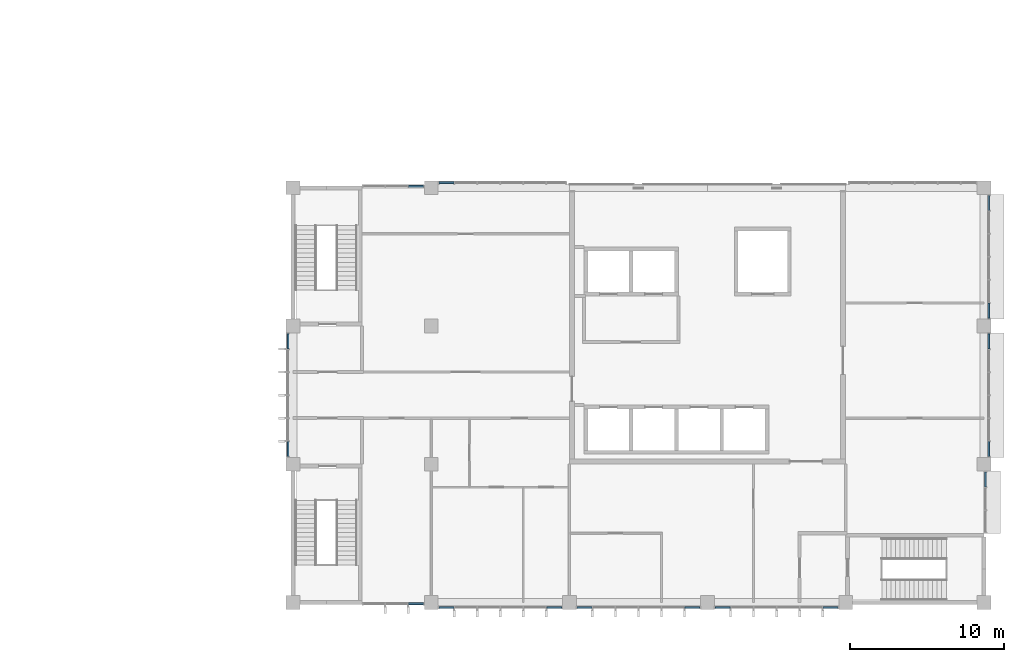
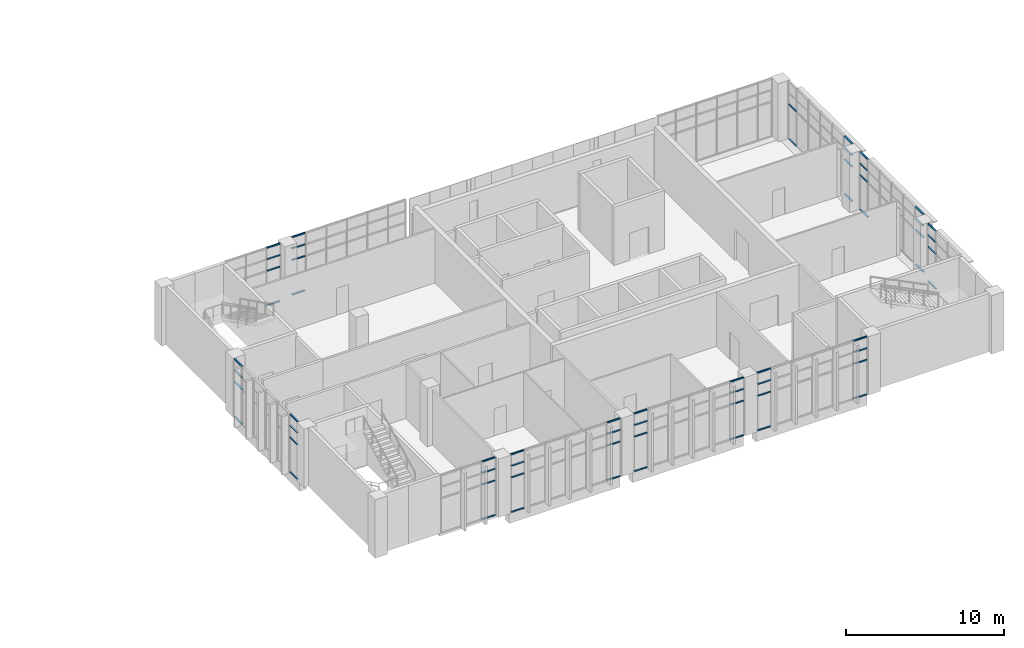
# One storey, part 15 of 45: 62 members, 10 elements without a shape of their own.
"""IFC4 building model written with IfcOpenShell, lengths in metres."""

from ifc_helpers import new_model, si_unit, direction, frame, origin, origin_2d, place, context, subcontext, project, spatial, rectangle, extrude, material, layer, layer_set, material_profile, profile_set, type_object, element, aggregate, save


model = new_model("IFC4")

# Units and contexts
model_context = context("Model", 3, precision=1e-05, world=origin(), true_north=direction((0.0, 1.0)))
body_context = subcontext(model_context, "Body", "Model", "MODEL_VIEW")
ifc_project = project(units=[si_unit("LENGTHUNIT", "METRE"), si_unit("AREAUNIT", "SQUARE_METRE"), si_unit("VOLUMEUNIT", "CUBIC_METRE"), si_unit("PLANEANGLEUNIT", "RADIAN"), si_unit("MASSUNIT", "GRAM", prefix="KILO")], contexts=[model_context])

# Site, building, storey
site_placement = place(None, origin())
site = spatial("IfcSite", under=ifc_project, at=site_placement, CompositionType="ELEMENT")
building_placement = place(site_placement, origin())
building = spatial("IfcBuilding", under=site, at=building_placement, Name="Guidao Yard Department Store", CompositionType="ELEMENT")
storey_placement = place(building_placement, frame((0.0, 0.0, 19.5)))
storey = spatial("IfcBuildingStorey", under=building, at=storey_placement, Name="L04", CompositionType="ELEMENT", Elevation=19.5)

# Curtain wall, members
ifc_material_1 = material(Name="Aluminium and glass", Category="aluminium")
ifc_layer = layer(ifc_material_1, 0.159912109375)
ifc_layer_set = layer_set([ifc_layer], Name="Unitised curtain wall CW4 1500 module")
curtain_wall_type = type_object("IfcCurtainWallType", Name="Unitised curtain wall CW4 1500 module", PredefinedType="NOTDEFINED", material=ifc_layer_set)
curtain_wall_1_placement = place(storey_placement, origin())
curtain_wall_1 = element("IfcCurtainWall", 1, at=curtain_wall_1_placement, inside=storey, type_object=curtain_wall_type, Name="Unitised curtain wall", PredefinedType="NOTDEFINED")
ifc_material_2 = material(Name="Aluminium 6063-T5", Category="aluminium")
ifc_material_profile = material_profile(ifc_material_2, rectangle(XDim=0.1201171875, YDim=0.06005859375, at=origin_2d()), Name="Transom T1 60 x 120 aluminium pressure plate")
ifc_profile_set = profile_set([ifc_material_profile], Name="Aluminium 6063-T5")
member_type = type_object("IfcMemberType", Name="Transom T1 60 x 120 aluminium pressure plate", PredefinedType="USERDEFINED", material=ifc_profile_set)
member_1_placement = place(storey_placement, frame((134.489990234375, -0.10009765625, 0.030029296875), z_axis=(-1.0, 0.0, 0.0), x_axis=(0.0, -1.0, 0.0)))
member_1 = element("IfcMember", 2, at=member_1_placement, type_object=member_type, Name="CW-OW-L04-01 transom 3.1", ObjectType="TRANSOM", PredefinedType="USERDEFINED", context=body_context, shape_type="SweptSolid", body=[
    extrude(rectangle(XDim=0.1201171875, YDim=0.06005859375, at=origin_2d()), origin(), (0.0, 0.0, 1.0), 0.9599609375),
])
member_2_placement = place(storey_placement, frame((134.489990234375, -0.10009765625, 2.699951171875), z_axis=(-1.0, 0.0, 0.0), x_axis=(0.0, -1.0, 0.0)))
member_2 = element("IfcMember", 3, at=member_2_placement, type_object=member_type, Name="CW-OW-L04-01 transom 3.2", ObjectType="TRANSOM", PredefinedType="USERDEFINED", context=body_context, shape_type="SweptSolid", body=[
    extrude(rectangle(XDim=0.1201171875, YDim=0.06005859375, at=origin_2d()), origin(), (0.0, 0.0, 1.0), 0.9599609375),
])
member_3_placement = place(storey_placement, frame((134.489990234375, -0.10009765625, 3.60009765625), z_axis=(-1.0, 0.0, 0.0), x_axis=(0.0, -1.0, 0.0)))
member_3 = element("IfcMember", 4, at=member_3_placement, type_object=member_type, Name="CW-OW-L04-01 transom 3.3", ObjectType="TRANSOM", PredefinedType="USERDEFINED", context=body_context, shape_type="SweptSolid", body=[
    extrude(rectangle(XDim=0.1201171875, YDim=0.06005859375, at=origin_2d()), origin(), (0.0, 0.0, 1.0), 0.9599609375),
])
member_4_placement = place(storey_placement, frame((134.489990234375, -0.10009765625, 4.469970703125), z_axis=(-1.0, 0.0, 0.0), x_axis=(0.0, -1.0, 0.0)))
member_4 = element("IfcMember", 5, at=member_4_placement, type_object=member_type, Name="CW-OW-L04-01 transom 3.4", ObjectType="TRANSOM", PredefinedType="USERDEFINED", context=body_context, shape_type="SweptSolid", body=[
    extrude(rectangle(XDim=0.1201171875, YDim=0.06005859375, at=origin_2d()), origin(), (0.0, 0.0, 1.0), 0.9599609375),
])
aggregate(curtain_wall_1, [member_1, member_2, member_3, member_4])

curtain_wall_2_placement = place(storey_placement, origin())
curtain_wall_2 = element("IfcCurtainWall", 6, at=curtain_wall_2_placement, inside=storey, type_object=curtain_wall_type, Name="Unitised curtain wall", PredefinedType="NOTDEFINED")
member_5_placement = place(storey_placement, frame((136.469970703125, -0.330078125, 0.030029296875), z_axis=(-1.0, 0.0, 0.0), x_axis=(0.0, -1.0, 0.0)))
member_5 = element("IfcMember", 7, at=member_5_placement, type_object=member_type, Name="CW-OW-L04-02 transom 1.1", ObjectType="TRANSOM", PredefinedType="USERDEFINED", context=body_context, shape_type="SweptSolid", body=[
    extrude(rectangle(XDim=0.1201171875, YDim=0.06005859375, at=origin_2d()), origin(), (0.0, 0.0, 1.0), 0.9599609375),
])
member_6_placement = place(storey_placement, frame((136.469970703125, -0.330078125, 2.699951171875), z_axis=(-1.0, 0.0, 0.0), x_axis=(0.0, -1.0, 0.0)))
member_6 = element("IfcMember", 8, at=member_6_placement, type_object=member_type, Name="CW-OW-L04-02 transom 1.2", ObjectType="TRANSOM", PredefinedType="USERDEFINED", context=body_context, shape_type="SweptSolid", body=[
    extrude(rectangle(XDim=0.1201171875, YDim=0.06005859375, at=origin_2d()), origin(), (0.0, 0.0, 1.0), 0.9599609375),
])
member_7_placement = place(storey_placement, frame((136.469970703125, -0.330078125, 3.60009765625), z_axis=(-1.0, 0.0, 0.0), x_axis=(0.0, -1.0, 0.0)))
member_7 = element("IfcMember", 9, at=member_7_placement, type_object=member_type, Name="CW-OW-L04-02 transom 1.3", ObjectType="TRANSOM", PredefinedType="USERDEFINED", context=body_context, shape_type="SweptSolid", body=[
    extrude(rectangle(XDim=0.1201171875, YDim=0.06005859375, at=origin_2d()), origin(), (0.0, 0.0, 1.0), 0.9599609375),
])
member_8_placement = place(storey_placement, frame((136.469970703125, -0.330078125, 4.469970703125), z_axis=(-1.0, 0.0, 0.0), x_axis=(0.0, -1.0, 0.0)))
member_8 = element("IfcMember", 10, at=member_8_placement, type_object=member_type, Name="CW-OW-L04-02 transom 1.4", ObjectType="TRANSOM", PredefinedType="USERDEFINED", context=body_context, shape_type="SweptSolid", body=[
    extrude(rectangle(XDim=0.1201171875, YDim=0.06005859375, at=origin_2d()), origin(), (0.0, 0.0, 1.0), 0.9599609375),
])
member_9_placement = place(storey_placement, frame((143.489990234375, -0.330078125, 0.030029296875), z_axis=(-1.0, 0.0, 0.0), x_axis=(0.0, -1.0, 0.0)))
member_9 = element("IfcMember", 11, at=member_9_placement, type_object=member_type, Name="CW-OW-L04-02 transom 6.1", ObjectType="TRANSOM", PredefinedType="USERDEFINED", context=body_context, shape_type="SweptSolid", body=[
    extrude(rectangle(XDim=0.1201171875, YDim=0.06005859375, at=origin_2d()), origin(), (0.0, 0.0, 1.0), 0.9599609375),
])
member_10_placement = place(storey_placement, frame((143.489990234375, -0.330078125, 2.699951171875), z_axis=(-1.0, 0.0, 0.0), x_axis=(0.0, -1.0, 0.0)))
member_10 = element("IfcMember", 12, at=member_10_placement, type_object=member_type, Name="CW-OW-L04-02 transom 6.2", ObjectType="TRANSOM", PredefinedType="USERDEFINED", context=body_context, shape_type="SweptSolid", body=[
    extrude(rectangle(XDim=0.1201171875, YDim=0.06005859375, at=origin_2d()), origin(), (0.0, 0.0, 1.0), 0.9599609375),
])
member_11_placement = place(storey_placement, frame((143.489990234375, -0.330078125, 3.60009765625), z_axis=(-1.0, 0.0, 0.0), x_axis=(0.0, -1.0, 0.0)))
member_11 = element("IfcMember", 13, at=member_11_placement, type_object=member_type, Name="CW-OW-L04-02 transom 6.3", ObjectType="TRANSOM", PredefinedType="USERDEFINED", context=body_context, shape_type="SweptSolid", body=[
    extrude(rectangle(XDim=0.1201171875, YDim=0.06005859375, at=origin_2d()), origin(), (0.0, 0.0, 1.0), 0.9599609375),
])
member_12_placement = place(storey_placement, frame((143.489990234375, -0.330078125, 4.469970703125), z_axis=(-1.0, 0.0, 0.0), x_axis=(0.0, -1.0, 0.0)))
member_12 = element("IfcMember", 14, at=member_12_placement, type_object=member_type, Name="CW-OW-L04-02 transom 6.4", ObjectType="TRANSOM", PredefinedType="USERDEFINED", context=body_context, shape_type="SweptSolid", body=[
    extrude(rectangle(XDim=0.1201171875, YDim=0.06005859375, at=origin_2d()), origin(), (0.0, 0.0, 1.0), 0.9599609375),
])
aggregate(curtain_wall_2, [member_5, member_6, member_7, member_8, member_9, member_10, member_11, member_12])

curtain_wall_3_placement = place(storey_placement, origin())
curtain_wall_3 = element("IfcCurtainWall", 15, at=curtain_wall_3_placement, inside=storey, type_object=curtain_wall_type, Name="Unitised curtain wall", PredefinedType="NOTDEFINED")
member_13_placement = place(storey_placement, frame((145.469970703125, -0.330078125, 0.030029296875), z_axis=(-1.0, 0.0, 0.0), x_axis=(0.0, -1.0, 0.0)))
member_13 = element("IfcMember", 16, at=member_13_placement, type_object=member_type, Name="CW-OW-L04-03 transom 1.1", ObjectType="TRANSOM", PredefinedType="USERDEFINED", context=body_context, shape_type="SweptSolid", body=[
    extrude(rectangle(XDim=0.1201171875, YDim=0.06005859375, at=origin_2d()), origin(), (0.0, 0.0, 1.0), 0.9599609375),
])
member_14_placement = place(storey_placement, frame((145.469970703125, -0.330078125, 2.699951171875), z_axis=(-1.0, 0.0, 0.0), x_axis=(0.0, -1.0, 0.0)))
member_14 = element("IfcMember", 17, at=member_14_placement, type_object=member_type, Name="CW-OW-L04-03 transom 1.2", ObjectType="TRANSOM", PredefinedType="USERDEFINED", context=body_context, shape_type="SweptSolid", body=[
    extrude(rectangle(XDim=0.1201171875, YDim=0.06005859375, at=origin_2d()), origin(), (0.0, 0.0, 1.0), 0.9599609375),
])
member_15_placement = place(storey_placement, frame((145.469970703125, -0.330078125, 3.60009765625), z_axis=(-1.0, 0.0, 0.0), x_axis=(0.0, -1.0, 0.0)))
member_15 = element("IfcMember", 18, at=member_15_placement, type_object=member_type, Name="CW-OW-L04-03 transom 1.3", ObjectType="TRANSOM", PredefinedType="USERDEFINED", context=body_context, shape_type="SweptSolid", body=[
    extrude(rectangle(XDim=0.1201171875, YDim=0.06005859375, at=origin_2d()), origin(), (0.0, 0.0, 1.0), 0.9599609375),
])
member_16_placement = place(storey_placement, frame((145.469970703125, -0.330078125, 4.469970703125), z_axis=(-1.0, 0.0, 0.0), x_axis=(0.0, -1.0, 0.0)))
member_16 = element("IfcMember", 19, at=member_16_placement, type_object=member_type, Name="CW-OW-L04-03 transom 1.4", ObjectType="TRANSOM", PredefinedType="USERDEFINED", context=body_context, shape_type="SweptSolid", body=[
    extrude(rectangle(XDim=0.1201171875, YDim=0.06005859375, at=origin_2d()), origin(), (0.0, 0.0, 1.0), 0.9599609375),
])
member_17_placement = place(storey_placement, frame((152.489990234375, -0.330078125, 0.030029296875), z_axis=(-1.0, 0.0, 0.0), x_axis=(0.0, -1.0, 0.0)))
member_17 = element("IfcMember", 20, at=member_17_placement, type_object=member_type, Name="CW-OW-L04-03 transom 6.1", ObjectType="TRANSOM", PredefinedType="USERDEFINED", context=body_context, shape_type="SweptSolid", body=[
    extrude(rectangle(XDim=0.1201171875, YDim=0.06005859375, at=origin_2d()), origin(), (0.0, 0.0, 1.0), 0.9599609375),
])
member_18_placement = place(storey_placement, frame((152.489990234375, -0.330078125, 2.699951171875), z_axis=(-1.0, 0.0, 0.0), x_axis=(0.0, -1.0, 0.0)))
member_18 = element("IfcMember", 21, at=member_18_placement, type_object=member_type, Name="CW-OW-L04-03 transom 6.2", ObjectType="TRANSOM", PredefinedType="USERDEFINED", context=body_context, shape_type="SweptSolid", body=[
    extrude(rectangle(XDim=0.1201171875, YDim=0.06005859375, at=origin_2d()), origin(), (0.0, 0.0, 1.0), 0.9599609375),
])
member_19_placement = place(storey_placement, frame((152.489990234375, -0.330078125, 3.60009765625), z_axis=(-1.0, 0.0, 0.0), x_axis=(0.0, -1.0, 0.0)))
member_19 = element("IfcMember", 22, at=member_19_placement, type_object=member_type, Name="CW-OW-L04-03 transom 6.3", ObjectType="TRANSOM", PredefinedType="USERDEFINED", context=body_context, shape_type="SweptSolid", body=[
    extrude(rectangle(XDim=0.1201171875, YDim=0.06005859375, at=origin_2d()), origin(), (0.0, 0.0, 1.0), 0.9599609375),
])
member_20_placement = place(storey_placement, frame((152.489990234375, -0.330078125, 4.469970703125), z_axis=(-1.0, 0.0, 0.0), x_axis=(0.0, -1.0, 0.0)))
member_20 = element("IfcMember", 23, at=member_20_placement, type_object=member_type, Name="CW-OW-L04-03 transom 6.4", ObjectType="TRANSOM", PredefinedType="USERDEFINED", context=body_context, shape_type="SweptSolid", body=[
    extrude(rectangle(XDim=0.1201171875, YDim=0.06005859375, at=origin_2d()), origin(), (0.0, 0.0, 1.0), 0.9599609375),
])
aggregate(curtain_wall_3, [member_13, member_14, member_15, member_16, member_17, member_18, member_19, member_20])

curtain_wall_4_placement = place(storey_placement, origin())
curtain_wall_4 = element("IfcCurtainWall", 24, at=curtain_wall_4_placement, inside=storey, type_object=curtain_wall_type, Name="Unitised curtain wall", PredefinedType="NOTDEFINED")
member_21_placement = place(storey_placement, frame((154.469970703125, -0.330078125, 0.030029296875), z_axis=(-1.0, 0.0, 0.0), x_axis=(0.0, -1.0, 0.0)))
member_21 = element("IfcMember", 25, at=member_21_placement, type_object=member_type, Name="CW-OW-L04-04 transom 1.1", ObjectType="TRANSOM", PredefinedType="USERDEFINED", context=body_context, shape_type="SweptSolid", body=[
    extrude(rectangle(XDim=0.1201171875, YDim=0.06005859375, at=origin_2d()), origin(), (0.0, 0.0, 1.0), 0.9599609375),
])
member_22_placement = place(storey_placement, frame((154.469970703125, -0.330078125, 2.699951171875), z_axis=(-1.0, 0.0, 0.0), x_axis=(0.0, -1.0, 0.0)))
member_22 = element("IfcMember", 26, at=member_22_placement, type_object=member_type, Name="CW-OW-L04-04 transom 1.2", ObjectType="TRANSOM", PredefinedType="USERDEFINED", context=body_context, shape_type="SweptSolid", body=[
    extrude(rectangle(XDim=0.1201171875, YDim=0.06005859375, at=origin_2d()), origin(), (0.0, 0.0, 1.0), 0.9599609375),
])
member_23_placement = place(storey_placement, frame((154.469970703125, -0.330078125, 3.60009765625), z_axis=(-1.0, 0.0, 0.0), x_axis=(0.0, -1.0, 0.0)))
member_23 = element("IfcMember", 27, at=member_23_placement, type_object=member_type, Name="CW-OW-L04-04 transom 1.3", ObjectType="TRANSOM", PredefinedType="USERDEFINED", context=body_context, shape_type="SweptSolid", body=[
    extrude(rectangle(XDim=0.1201171875, YDim=0.06005859375, at=origin_2d()), origin(), (0.0, 0.0, 1.0), 0.9599609375),
])
member_24_placement = place(storey_placement, frame((154.469970703125, -0.330078125, 4.469970703125), z_axis=(-1.0, 0.0, 0.0), x_axis=(0.0, -1.0, 0.0)))
member_24 = element("IfcMember", 28, at=member_24_placement, type_object=member_type, Name="CW-OW-L04-04 transom 1.4", ObjectType="TRANSOM", PredefinedType="USERDEFINED", context=body_context, shape_type="SweptSolid", body=[
    extrude(rectangle(XDim=0.1201171875, YDim=0.06005859375, at=origin_2d()), origin(), (0.0, 0.0, 1.0), 0.9599609375),
])
member_25_placement = place(storey_placement, frame((161.489990234375, -0.330078125, 0.030029296875), z_axis=(-1.0, 0.0, 0.0), x_axis=(0.0, -1.0, 0.0)))
member_25 = element("IfcMember", 29, at=member_25_placement, type_object=member_type, Name="CW-OW-L04-04 transom 6.1", ObjectType="TRANSOM", PredefinedType="USERDEFINED", context=body_context, shape_type="SweptSolid", body=[
    extrude(rectangle(XDim=0.1201171875, YDim=0.06005859375, at=origin_2d()), origin(), (0.0, 0.0, 1.0), 0.9599609375),
])
member_26_placement = place(storey_placement, frame((161.489990234375, -0.330078125, 2.699951171875), z_axis=(-1.0, 0.0, 0.0), x_axis=(0.0, -1.0, 0.0)))
member_26 = element("IfcMember", 30, at=member_26_placement, type_object=member_type, Name="CW-OW-L04-04 transom 6.2", ObjectType="TRANSOM", PredefinedType="USERDEFINED", context=body_context, shape_type="SweptSolid", body=[
    extrude(rectangle(XDim=0.1201171875, YDim=0.06005859375, at=origin_2d()), origin(), (0.0, 0.0, 1.0), 0.9599609375),
])
member_27_placement = place(storey_placement, frame((161.489990234375, -0.330078125, 3.60009765625), z_axis=(-1.0, 0.0, 0.0), x_axis=(0.0, -1.0, 0.0)))
member_27 = element("IfcMember", 31, at=member_27_placement, type_object=member_type, Name="CW-OW-L04-04 transom 6.3", ObjectType="TRANSOM", PredefinedType="USERDEFINED", context=body_context, shape_type="SweptSolid", body=[
    extrude(rectangle(XDim=0.1201171875, YDim=0.06005859375, at=origin_2d()), origin(), (0.0, 0.0, 1.0), 0.9599609375),
])
member_28_placement = place(storey_placement, frame((161.489990234375, -0.330078125, 4.469970703125), z_axis=(-1.0, 0.0, 0.0), x_axis=(0.0, -1.0, 0.0)))
member_28 = element("IfcMember", 32, at=member_28_placement, type_object=member_type, Name="CW-OW-L04-04 transom 6.4", ObjectType="TRANSOM", PredefinedType="USERDEFINED", context=body_context, shape_type="SweptSolid", body=[
    extrude(rectangle(XDim=0.1201171875, YDim=0.06005859375, at=origin_2d()), origin(), (0.0, 0.0, 1.0), 0.9599609375),
])
aggregate(curtain_wall_4, [member_21, member_22, member_23, member_24, member_25, member_26, member_27, member_28])

curtain_wall_5_placement = place(storey_placement, origin())
curtain_wall_5 = element("IfcCurtainWall", 33, at=curtain_wall_5_placement, inside=storey, type_object=curtain_wall_type, Name="Unitised curtain wall", PredefinedType="NOTDEFINED")
member_29_placement = place(storey_placement, frame((125.669921875, 9.510009765625, 0.030029296875), z_axis=(0.0, 1.0, 0.0), x_axis=(-1.0, 0.0, 0.0)))
member_29 = element("IfcMember", 34, at=member_29_placement, type_object=member_type, Name="CW-OW-L04-05 transom 1.1", ObjectType="TRANSOM", PredefinedType="USERDEFINED", context=body_context, shape_type="SweptSolid", body=[
    extrude(rectangle(XDim=0.1201171875, YDim=0.06005859375, at=origin_2d()), origin(), (0.0, 0.0, 1.0), 0.9599609375),
])
member_30_placement = place(storey_placement, frame((125.669921875, 9.510009765625, 2.699951171875), z_axis=(0.0, 1.0, 0.0), x_axis=(-1.0, 0.0, 0.0)))
member_30 = element("IfcMember", 35, at=member_30_placement, type_object=member_type, Name="CW-OW-L04-05 transom 1.2", ObjectType="TRANSOM", PredefinedType="USERDEFINED", context=body_context, shape_type="SweptSolid", body=[
    extrude(rectangle(XDim=0.1201171875, YDim=0.06005859375, at=origin_2d()), origin(), (0.0, 0.0, 1.0), 0.9599609375),
])
member_31_placement = place(storey_placement, frame((125.669921875, 9.510009765625, 3.60009765625), z_axis=(0.0, 1.0, 0.0), x_axis=(-1.0, 0.0, 0.0)))
member_31 = element("IfcMember", 36, at=member_31_placement, type_object=member_type, Name="CW-OW-L04-05 transom 1.3", ObjectType="TRANSOM", PredefinedType="USERDEFINED", context=body_context, shape_type="SweptSolid", body=[
    extrude(rectangle(XDim=0.1201171875, YDim=0.06005859375, at=origin_2d()), origin(), (0.0, 0.0, 1.0), 0.9599609375),
])
member_32_placement = place(storey_placement, frame((125.669921875, 9.510009765625, 4.469970703125), z_axis=(0.0, 1.0, 0.0), x_axis=(-1.0, 0.0, 0.0)))
member_32 = element("IfcMember", 37, at=member_32_placement, type_object=member_type, Name="CW-OW-L04-05 transom 1.4", ObjectType="TRANSOM", PredefinedType="USERDEFINED", context=body_context, shape_type="SweptSolid", body=[
    extrude(rectangle(XDim=0.1201171875, YDim=0.06005859375, at=origin_2d()), origin(), (0.0, 0.0, 1.0), 0.9599609375),
])
member_33_placement = place(storey_placement, frame((125.669921875, 16.530029296875, 0.030029296875), z_axis=(0.0, 1.0, 0.0), x_axis=(-1.0, 0.0, 0.0)))
member_33 = element("IfcMember", 38, at=member_33_placement, type_object=member_type, Name="CW-OW-L04-05 transom 6.1", ObjectType="TRANSOM", PredefinedType="USERDEFINED", context=body_context, shape_type="SweptSolid", body=[
    extrude(rectangle(XDim=0.1201171875, YDim=0.06005859375, at=origin_2d()), origin(), (0.0, 0.0, 1.0), 0.9599609375),
])
member_34_placement = place(storey_placement, frame((125.669921875, 16.530029296875, 2.699951171875), z_axis=(0.0, 1.0, 0.0), x_axis=(-1.0, 0.0, 0.0)))
member_34 = element("IfcMember", 39, at=member_34_placement, type_object=member_type, Name="CW-OW-L04-05 transom 6.2", ObjectType="TRANSOM", PredefinedType="USERDEFINED", context=body_context, shape_type="SweptSolid", body=[
    extrude(rectangle(XDim=0.1201171875, YDim=0.06005859375, at=origin_2d()), origin(), (0.0, 0.0, 1.0), 0.9599609375),
])
member_35_placement = place(storey_placement, frame((125.669921875, 16.530029296875, 3.60009765625), z_axis=(0.0, 1.0, 0.0), x_axis=(-1.0, 0.0, 0.0)))
member_35 = element("IfcMember", 40, at=member_35_placement, type_object=member_type, Name="CW-OW-L04-05 transom 6.3", ObjectType="TRANSOM", PredefinedType="USERDEFINED", context=body_context, shape_type="SweptSolid", body=[
    extrude(rectangle(XDim=0.1201171875, YDim=0.06005859375, at=origin_2d()), origin(), (0.0, 0.0, 1.0), 0.9599609375),
])
member_36_placement = place(storey_placement, frame((125.669921875, 16.530029296875, 4.469970703125), z_axis=(0.0, 1.0, 0.0), x_axis=(-1.0, 0.0, 0.0)))
member_36 = element("IfcMember", 41, at=member_36_placement, type_object=member_type, Name="CW-OW-L04-05 transom 6.4", ObjectType="TRANSOM", PredefinedType="USERDEFINED", context=body_context, shape_type="SweptSolid", body=[
    extrude(rectangle(XDim=0.1201171875, YDim=0.06005859375, at=origin_2d()), origin(), (0.0, 0.0, 1.0), 0.9599609375),
])
aggregate(curtain_wall_5, [member_29, member_30, member_31, member_32, member_33, member_34, member_35, member_36])

curtain_wall_6_placement = place(storey_placement, origin())
curtain_wall_6 = element("IfcCurtainWall", 42, at=curtain_wall_6_placement, inside=storey, type_object=curtain_wall_type, Name="Unitised curtain wall", PredefinedType="NOTDEFINED")
member_37_placement = place(storey_placement, frame((133.530029296875, 27.10009765625, 0.030029296875), z_axis=(1.0, 0.0, 0.0), x_axis=(0.0, 1.0, 0.0)))
member_37 = element("IfcMember", 43, at=member_37_placement, type_object=member_type, Name="CW-OW-L04-06 transom 3.1", ObjectType="TRANSOM", PredefinedType="USERDEFINED", context=body_context, shape_type="SweptSolid", body=[
    extrude(rectangle(XDim=0.1201171875, YDim=0.06005859375, at=origin_2d()), origin(), (0.0, 0.0, 1.0), 0.9599609375),
])
member_38_placement = place(storey_placement, frame((133.530029296875, 27.10009765625, 2.699951171875), z_axis=(1.0, 0.0, 0.0), x_axis=(0.0, 1.0, 0.0)))
member_38 = element("IfcMember", 44, at=member_38_placement, type_object=member_type, Name="CW-OW-L04-06 transom 3.2", ObjectType="TRANSOM", PredefinedType="USERDEFINED", context=body_context, shape_type="SweptSolid", body=[
    extrude(rectangle(XDim=0.1201171875, YDim=0.06005859375, at=origin_2d()), origin(), (0.0, 0.0, 1.0), 0.9599609375),
])
member_39_placement = place(storey_placement, frame((133.530029296875, 27.10009765625, 3.60009765625), z_axis=(1.0, 0.0, 0.0), x_axis=(0.0, 1.0, 0.0)))
member_39 = element("IfcMember", 45, at=member_39_placement, type_object=member_type, Name="CW-OW-L04-06 transom 3.3", ObjectType="TRANSOM", PredefinedType="USERDEFINED", context=body_context, shape_type="SweptSolid", body=[
    extrude(rectangle(XDim=0.1201171875, YDim=0.06005859375, at=origin_2d()), origin(), (0.0, 0.0, 1.0), 0.9599609375),
])
member_40_placement = place(storey_placement, frame((133.530029296875, 27.10009765625, 4.469970703125), z_axis=(1.0, 0.0, 0.0), x_axis=(0.0, 1.0, 0.0)))
member_40 = element("IfcMember", 46, at=member_40_placement, type_object=member_type, Name="CW-OW-L04-06 transom 3.4", ObjectType="TRANSOM", PredefinedType="USERDEFINED", context=body_context, shape_type="SweptSolid", body=[
    extrude(rectangle(XDim=0.1201171875, YDim=0.06005859375, at=origin_2d()), origin(), (0.0, 0.0, 1.0), 0.9599609375),
])
aggregate(curtain_wall_6, [member_37, member_38, member_39, member_40])

curtain_wall_7_placement = place(storey_placement, origin())
curtain_wall_7 = element("IfcCurtainWall", 47, at=curtain_wall_7_placement, inside=storey, type_object=curtain_wall_type, Name="Unitised curtain wall", PredefinedType="NOTDEFINED")
member_41_placement = place(storey_placement, frame((135.510009765625, 27.330078125, 0.030029296875), z_axis=(1.0, 0.0, 0.0), x_axis=(0.0, 1.0, 0.0)))
member_41 = element("IfcMember", 48, at=member_41_placement, type_object=member_type, Name="CW-OW-L04-07 transom 1.1", ObjectType="TRANSOM", PredefinedType="USERDEFINED", context=body_context, shape_type="SweptSolid", body=[
    extrude(rectangle(XDim=0.1201171875, YDim=0.06005859375, at=origin_2d()), origin(), (0.0, 0.0, 1.0), 0.9599609375),
])
member_42_placement = place(storey_placement, frame((135.510009765625, 27.330078125, 2.699951171875), z_axis=(1.0, 0.0, 0.0), x_axis=(0.0, 1.0, 0.0)))
member_42 = element("IfcMember", 49, at=member_42_placement, type_object=member_type, Name="CW-OW-L04-07 transom 1.2", ObjectType="TRANSOM", PredefinedType="USERDEFINED", context=body_context, shape_type="SweptSolid", body=[
    extrude(rectangle(XDim=0.1201171875, YDim=0.06005859375, at=origin_2d()), origin(), (0.0, 0.0, 1.0), 0.9599609375),
])
member_43_placement = place(storey_placement, frame((135.510009765625, 27.330078125, 3.60009765625), z_axis=(1.0, 0.0, 0.0), x_axis=(0.0, 1.0, 0.0)))
member_43 = element("IfcMember", 50, at=member_43_placement, type_object=member_type, Name="CW-OW-L04-07 transom 1.3", ObjectType="TRANSOM", PredefinedType="USERDEFINED", context=body_context, shape_type="SweptSolid", body=[
    extrude(rectangle(XDim=0.1201171875, YDim=0.06005859375, at=origin_2d()), origin(), (0.0, 0.0, 1.0), 0.9599609375),
])
member_44_placement = place(storey_placement, frame((135.510009765625, 27.330078125, 4.469970703125), z_axis=(1.0, 0.0, 0.0), x_axis=(0.0, 1.0, 0.0)))
member_44 = element("IfcMember", 51, at=member_44_placement, type_object=member_type, Name="CW-OW-L04-07 transom 1.4", ObjectType="TRANSOM", PredefinedType="USERDEFINED", context=body_context, shape_type="SweptSolid", body=[
    extrude(rectangle(XDim=0.1201171875, YDim=0.06005859375, at=origin_2d()), origin(), (0.0, 0.0, 1.0), 0.9599609375),
])
aggregate(curtain_wall_7, [member_41, member_42, member_43, member_44])

curtain_wall_8_placement = place(storey_placement, origin())
curtain_wall_8 = element("IfcCurtainWall", 52, at=curtain_wall_8_placement, inside=storey, type_object=curtain_wall_type, Name="Unitised curtain wall", PredefinedType="NOTDEFINED")
member_45_placement = place(storey_placement, frame((171.10009765625, 8.489990234375, 0.030029296875), z_axis=(0.0, -1.0, 0.0), x_axis=(1.0, 0.0, 0.0)))
member_45 = element("IfcMember", 53, at=member_45_placement, type_object=member_type, Name="CW-OW-L04-09 transom 3.1", ObjectType="TRANSOM", PredefinedType="USERDEFINED", context=body_context, shape_type="SweptSolid", body=[
    extrude(rectangle(XDim=0.1201171875, YDim=0.06005859375, at=origin_2d()), origin(), (0.0, 0.0, 1.0), 0.9599609375),
])
member_46_placement = place(storey_placement, frame((171.10009765625, 8.489990234375, 2.699951171875), z_axis=(0.0, -1.0, 0.0), x_axis=(1.0, 0.0, 0.0)))
member_46 = element("IfcMember", 54, at=member_46_placement, type_object=member_type, Name="CW-OW-L04-09 transom 3.2", ObjectType="TRANSOM", PredefinedType="USERDEFINED", context=body_context, shape_type="SweptSolid", body=[
    extrude(rectangle(XDim=0.1201171875, YDim=0.06005859375, at=origin_2d()), origin(), (0.0, 0.0, 1.0), 0.9599609375),
])
member_47_placement = place(storey_placement, frame((171.10009765625, 8.489990234375, 3.60009765625), z_axis=(0.0, -1.0, 0.0), x_axis=(1.0, 0.0, 0.0)))
member_47 = element("IfcMember", 55, at=member_47_placement, type_object=member_type, Name="CW-OW-L04-09 transom 3.3", ObjectType="TRANSOM", PredefinedType="USERDEFINED", context=body_context, shape_type="SweptSolid", body=[
    extrude(rectangle(XDim=0.1201171875, YDim=0.06005859375, at=origin_2d()), origin(), (0.0, 0.0, 1.0), 0.9599609375),
])
member_48_placement = place(storey_placement, frame((171.10009765625, 8.489990234375, 4.469970703125), z_axis=(0.0, -1.0, 0.0), x_axis=(1.0, 0.0, 0.0)))
member_48 = element("IfcMember", 56, at=member_48_placement, type_object=member_type, Name="CW-OW-L04-09 transom 3.4", ObjectType="TRANSOM", PredefinedType="USERDEFINED", context=body_context, shape_type="SweptSolid", body=[
    extrude(rectangle(XDim=0.1201171875, YDim=0.06005859375, at=origin_2d()), origin(), (0.0, 0.0, 1.0), 0.9599609375),
])
aggregate(curtain_wall_8, [member_45, member_46, member_47, member_48])

curtain_wall_9_placement = place(storey_placement, origin())
curtain_wall_9 = element("IfcCurtainWall", 57, at=curtain_wall_9_placement, inside=storey, type_object=curtain_wall_type, Name="Unitised curtain wall", PredefinedType="NOTDEFINED")
member_49_placement = place(storey_placement, frame((171.330078125, 10.469970703125, 0.030029296875), z_axis=(0.0, -1.0, 0.0), x_axis=(1.0, 0.0, 0.0)))
member_49 = element("IfcMember", 58, at=member_49_placement, type_object=member_type, Name="CW-OW-L04-10 transom 1.1", ObjectType="TRANSOM", PredefinedType="USERDEFINED", context=body_context, shape_type="SweptSolid", body=[
    extrude(rectangle(XDim=0.1201171875, YDim=0.06005859375, at=origin_2d()), origin(), (0.0, 0.0, 1.0), 0.9599609375),
])
member_50_placement = place(storey_placement, frame((171.330078125, 10.469970703125, 2.699951171875), z_axis=(0.0, -1.0, 0.0), x_axis=(1.0, 0.0, 0.0)))
member_50 = element("IfcMember", 59, at=member_50_placement, type_object=member_type, Name="CW-OW-L04-10 transom 1.2", ObjectType="TRANSOM", PredefinedType="USERDEFINED", context=body_context, shape_type="SweptSolid", body=[
    extrude(rectangle(XDim=0.1201171875, YDim=0.06005859375, at=origin_2d()), origin(), (0.0, 0.0, 1.0), 0.9599609375),
])
member_51_placement = place(storey_placement, frame((171.330078125, 10.469970703125, 3.60009765625), z_axis=(0.0, -1.0, 0.0), x_axis=(1.0, 0.0, 0.0)))
member_51 = element("IfcMember", 60, at=member_51_placement, type_object=member_type, Name="CW-OW-L04-10 transom 1.3", ObjectType="TRANSOM", PredefinedType="USERDEFINED", context=body_context, shape_type="SweptSolid", body=[
    extrude(rectangle(XDim=0.1201171875, YDim=0.06005859375, at=origin_2d()), origin(), (0.0, 0.0, 1.0), 0.9599609375),
])
member_52_placement = place(storey_placement, frame((171.330078125, 10.469970703125, 4.469970703125), z_axis=(0.0, -1.0, 0.0), x_axis=(1.0, 0.0, 0.0)))
member_52 = element("IfcMember", 61, at=member_52_placement, type_object=member_type, Name="CW-OW-L04-10 transom 1.4", ObjectType="TRANSOM", PredefinedType="USERDEFINED", context=body_context, shape_type="SweptSolid", body=[
    extrude(rectangle(XDim=0.1201171875, YDim=0.06005859375, at=origin_2d()), origin(), (0.0, 0.0, 1.0), 0.9599609375),
])
member_53_placement = place(storey_placement, frame((171.330078125, 17.489990234375, 0.030029296875), z_axis=(0.0, -1.0, 0.0), x_axis=(1.0, 0.0, 0.0)))
member_53 = element("IfcMember", 62, at=member_53_placement, type_object=member_type, Name="CW-OW-L04-10 transom 6.1", ObjectType="TRANSOM", PredefinedType="USERDEFINED", context=body_context, shape_type="SweptSolid", body=[
    extrude(rectangle(XDim=0.1201171875, YDim=0.06005859375, at=origin_2d()), origin(), (0.0, 0.0, 1.0), 0.9599609375),
])
member_54_placement = place(storey_placement, frame((171.330078125, 17.489990234375, 2.699951171875), z_axis=(0.0, -1.0, 0.0), x_axis=(1.0, 0.0, 0.0)))
member_54 = element("IfcMember", 63, at=member_54_placement, type_object=member_type, Name="CW-OW-L04-10 transom 6.2", ObjectType="TRANSOM", PredefinedType="USERDEFINED", context=body_context, shape_type="SweptSolid", body=[
    extrude(rectangle(XDim=0.1201171875, YDim=0.06005859375, at=origin_2d()), origin(), (0.0, 0.0, 1.0), 0.9599609375),
])
member_55_placement = place(storey_placement, frame((171.330078125, 17.489990234375, 3.60009765625), z_axis=(0.0, -1.0, 0.0), x_axis=(1.0, 0.0, 0.0)))
member_55 = element("IfcMember", 64, at=member_55_placement, type_object=member_type, Name="CW-OW-L04-10 transom 6.3", ObjectType="TRANSOM", PredefinedType="USERDEFINED", context=body_context, shape_type="SweptSolid", body=[
    extrude(rectangle(XDim=0.1201171875, YDim=0.06005859375, at=origin_2d()), origin(), (0.0, 0.0, 1.0), 0.9599609375),
])
member_56_placement = place(storey_placement, frame((171.330078125, 17.489990234375, 4.469970703125), z_axis=(0.0, -1.0, 0.0), x_axis=(1.0, 0.0, 0.0)))
member_56 = element("IfcMember", 65, at=member_56_placement, type_object=member_type, Name="CW-OW-L04-10 transom 6.4", ObjectType="TRANSOM", PredefinedType="USERDEFINED", context=body_context, shape_type="SweptSolid", body=[
    extrude(rectangle(XDim=0.1201171875, YDim=0.06005859375, at=origin_2d()), origin(), (0.0, 0.0, 1.0), 0.9599609375),
])
aggregate(curtain_wall_9, [member_49, member_50, member_51, member_52, member_53, member_54, member_55, member_56])

curtain_wall_10_placement = place(storey_placement, origin())
curtain_wall_10 = element("IfcCurtainWall", 66, at=curtain_wall_10_placement, inside=storey, type_object=curtain_wall_type, Name="Unitised curtain wall", PredefinedType="NOTDEFINED")
member_57_placement = place(storey_placement, frame((171.330078125, 19.469970703125, 0.030029296875), z_axis=(0.0, -1.0, 0.0), x_axis=(1.0, 0.0, 0.0)))
member_57 = element("IfcMember", 67, at=member_57_placement, type_object=member_type, Name="CW-OW-L04-11 transom 1.1", ObjectType="TRANSOM", PredefinedType="USERDEFINED", context=body_context, shape_type="SweptSolid", body=[
    extrude(rectangle(XDim=0.1201171875, YDim=0.06005859375, at=origin_2d()), origin(), (0.0, 0.0, 1.0), 0.9599609375),
])
member_58_placement = place(storey_placement, frame((171.330078125, 19.469970703125, 2.699951171875), z_axis=(0.0, -1.0, 0.0), x_axis=(1.0, 0.0, 0.0)))
member_58 = element("IfcMember", 68, at=member_58_placement, type_object=member_type, Name="CW-OW-L04-11 transom 1.2", ObjectType="TRANSOM", PredefinedType="USERDEFINED", context=body_context, shape_type="SweptSolid", body=[
    extrude(rectangle(XDim=0.1201171875, YDim=0.06005859375, at=origin_2d()), origin(), (0.0, 0.0, 1.0), 0.9599609375),
])
member_59_placement = place(storey_placement, frame((171.330078125, 19.469970703125, 3.60009765625), z_axis=(0.0, -1.0, 0.0), x_axis=(1.0, 0.0, 0.0)))
member_59 = element("IfcMember", 69, at=member_59_placement, type_object=member_type, Name="CW-OW-L04-11 transom 1.3", ObjectType="TRANSOM", PredefinedType="USERDEFINED", context=body_context, shape_type="SweptSolid", body=[
    extrude(rectangle(XDim=0.1201171875, YDim=0.06005859375, at=origin_2d()), origin(), (0.0, 0.0, 1.0), 0.9599609375),
])
member_60_placement = place(storey_placement, frame((171.330078125, 19.469970703125, 4.469970703125), z_axis=(0.0, -1.0, 0.0), x_axis=(1.0, 0.0, 0.0)))
member_60 = element("IfcMember", 70, at=member_60_placement, type_object=member_type, Name="CW-OW-L04-11 transom 1.4", ObjectType="TRANSOM", PredefinedType="USERDEFINED", context=body_context, shape_type="SweptSolid", body=[
    extrude(rectangle(XDim=0.1201171875, YDim=0.06005859375, at=origin_2d()), origin(), (0.0, 0.0, 1.0), 0.9599609375),
])
member_61_placement = place(storey_placement, frame((171.330078125, 26.489990234375, 0.030029296875), z_axis=(0.0, -1.0, 0.0), x_axis=(1.0, 0.0, 0.0)))
member_61 = element("IfcMember", 71, at=member_61_placement, type_object=member_type, Name="CW-OW-L04-11 transom 6.1", ObjectType="TRANSOM", PredefinedType="USERDEFINED", context=body_context, shape_type="SweptSolid", body=[
    extrude(rectangle(XDim=0.1201171875, YDim=0.06005859375, at=origin_2d()), origin(), (0.0, 0.0, 1.0), 0.9599609375),
])
member_62_placement = place(storey_placement, frame((171.330078125, 26.489990234375, 2.699951171875), z_axis=(0.0, -1.0, 0.0), x_axis=(1.0, 0.0, 0.0)))
member_62 = element("IfcMember", 72, at=member_62_placement, type_object=member_type, Name="CW-OW-L04-11 transom 6.2", ObjectType="TRANSOM", PredefinedType="USERDEFINED", context=body_context, shape_type="SweptSolid", body=[
    extrude(rectangle(XDim=0.1201171875, YDim=0.06005859375, at=origin_2d()), origin(), (0.0, 0.0, 1.0), 0.9599609375),
])
aggregate(curtain_wall_10, [member_57, member_58, member_59, member_60, member_61, member_62])

save(model, "model.ifc")
